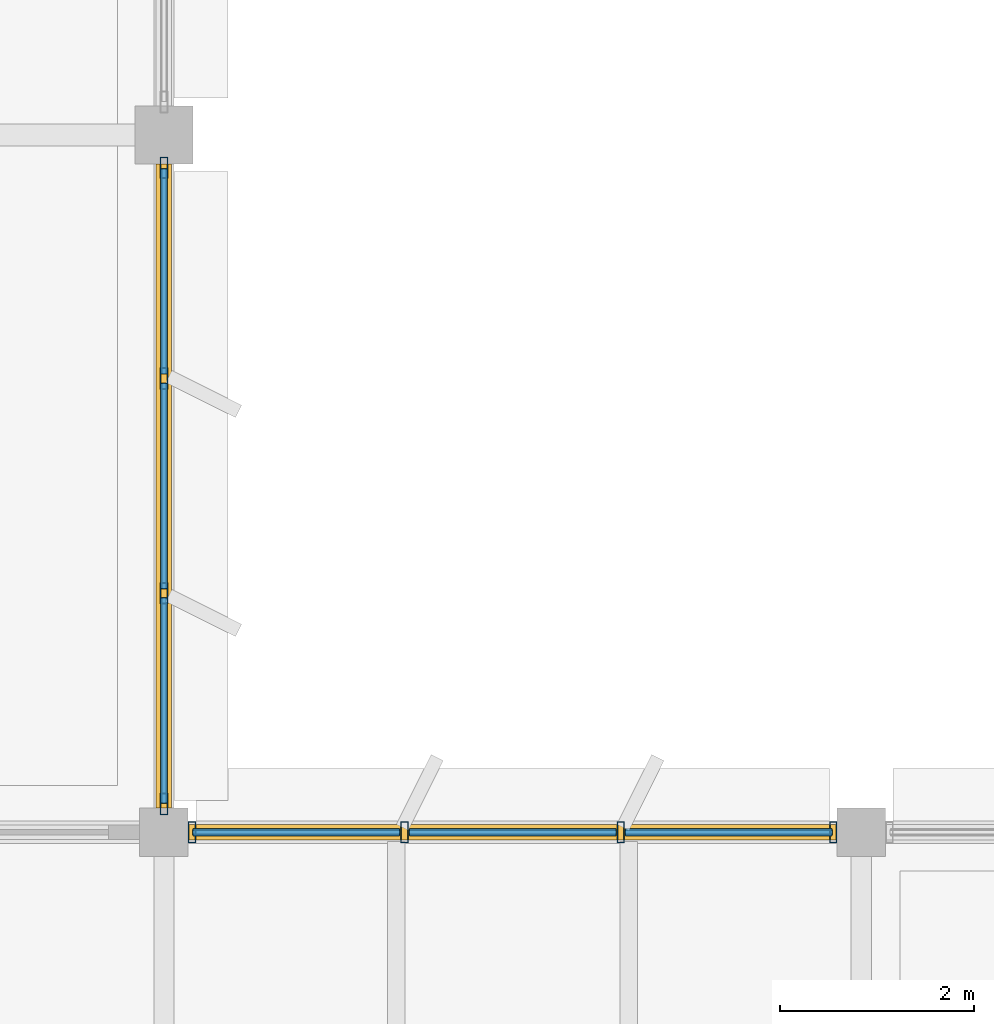
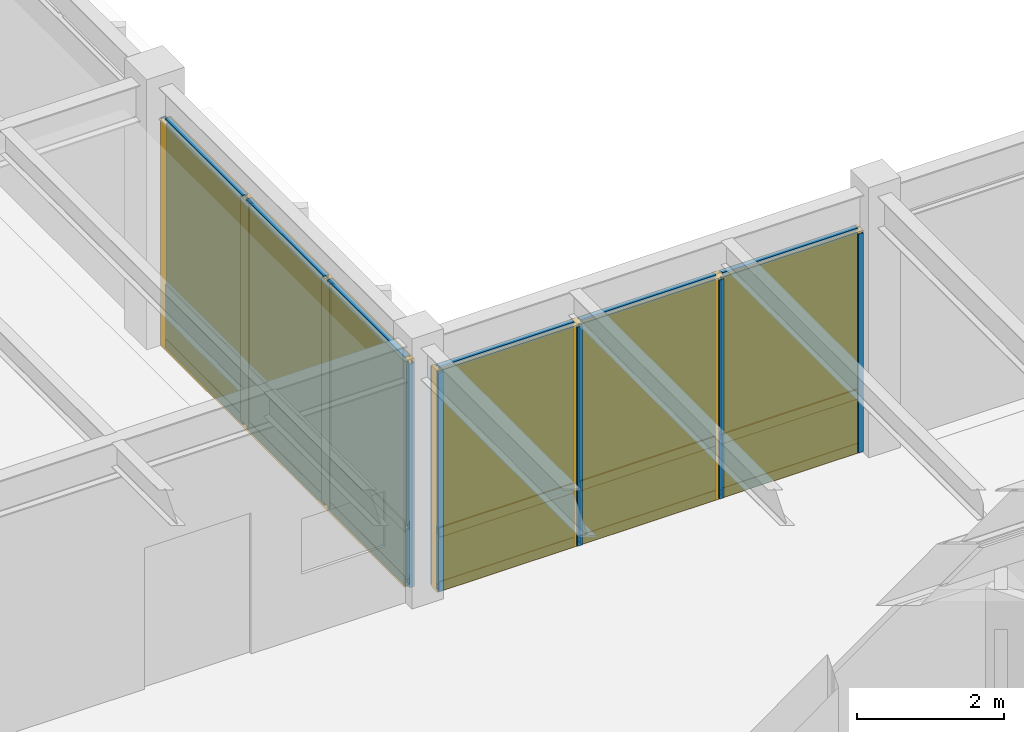
# One storey, part 70 of 92: 26 members, 12 plates, 2 curtain walls.
"""IFC4 building model written with IfcOpenShell, lengths in metres."""

from ifc_helpers import new_model, si_unit, direction, frame, origin, origin_2d, place, context, subcontext, project, spatial, rectangle, hollow_rectangle, extrude, material, layer, layer_set, material_profile, profile_set, type_object, element, aggregate, save


model = new_model("IFC4")

# Units and contexts
model_context = context("Model", 3, precision=1e-05, world=origin(), true_north=direction((0.0, 1.0)))
body_context = subcontext(model_context, "Body", "Model", "MODEL_VIEW")
ifc_project = project(units=[si_unit("LENGTHUNIT", "METRE"), si_unit("AREAUNIT", "SQUARE_METRE"), si_unit("VOLUMEUNIT", "CUBIC_METRE"), si_unit("PLANEANGLEUNIT", "RADIAN"), si_unit("MASSUNIT", "GRAM", prefix="KILO")], contexts=[model_context])

# Member
ifc_material_1 = material(Name="Anodized Aluminium 6063-T6", Category="aluminium")
ifc_material_profile_1 = material_profile(ifc_material_1, hollow_rectangle(XDim=0.074951171875, YDim=0.219970703125, WallThickness=0.0048828125, at=origin_2d()), Name="ALU 75x220x5")
ifc_profile_set_1 = profile_set([ifc_material_profile_1], Name="Anodized Aluminium 6063-T6")
member_type_1 = type_object("IfcMemberType", Name="CWM-75X180", PredefinedType="MULLION", material=ifc_profile_set_1)
site_placement = place(None, origin())
building_placement = place(site_placement, origin())
storey_placement = place(building_placement, frame((0.0, 0.0, 5.39990234375)))
member_1_placement = place(storey_placement, frame((144.0, 35.659912109375, 0.02001953125), z_axis=(0.0, 0.0, 1.0), x_axis=(1.0, 0.0, 0.0)))
member_1 = element("IfcMember", 1, at=member_1_placement, type_object=member_type_1, Name="Curtain wall mullion CW-L02-19-04-E-00", PredefinedType="MULLION", context=body_context, shape_type="SweptSolid", body=[
    extrude(hollow_rectangle(XDim=0.074951171875, YDim=0.219970703125, WallThickness=0.0048828125, at=origin_2d()), origin(), (0.0, 0.0, 1.0), 3.72705078125),
])

member_2_placement = place(storey_placement, frame((144.0, 33.4833984375, 0.02001953125), z_axis=(0.0, 0.0, 1.0), x_axis=(1.0, 0.0, 0.0)))
member_2 = element("IfcMember", 2, at=member_2_placement, type_object=member_type_1, Name="Curtain wall mullion CW-L02-19-04-E-01", PredefinedType="MULLION", context=body_context, shape_type="SweptSolid", body=[
    extrude(hollow_rectangle(XDim=0.074951171875, YDim=0.219970703125, WallThickness=0.0048828125, at=origin_2d()), origin(), (0.0, 0.0, 1.0), 3.72705078125),
])

member_3_placement = place(storey_placement, frame((144.0, 31.2666015625, 0.02001953125), z_axis=(0.0, 0.0, 1.0), x_axis=(1.0, 0.0, 0.0)))
member_3 = element("IfcMember", 3, at=member_3_placement, type_object=member_type_1, Name="Curtain wall mullion CW-L02-19-04-E-02", PredefinedType="MULLION", context=body_context, shape_type="SweptSolid", body=[
    extrude(hollow_rectangle(XDim=0.074951171875, YDim=0.219970703125, WallThickness=0.0048828125, at=origin_2d()), origin(), (0.0, 0.0, 1.0), 3.72705078125),
])

member_4_placement = place(storey_placement, frame((144.0, 29.090087890625, 0.02001953125), z_axis=(0.0, 0.0, 1.0), x_axis=(1.0, 0.0, 0.0)))
member_4 = element("IfcMember", 4, at=member_4_placement, type_object=member_type_1, Name="Curtain wall mullion CW-L02-19-04-E-03", PredefinedType="MULLION", context=body_context, shape_type="SweptSolid", body=[
    extrude(hollow_rectangle(XDim=0.074951171875, YDim=0.219970703125, WallThickness=0.0048828125, at=origin_2d()), origin(), (0.0, 0.0, 1.0), 3.72705078125),
])

member_5_placement = place(storey_placement, frame((144.2900390625, 28.800048828125, 0.02001953125), z_axis=(0.0, 0.0, 1.0), x_axis=(1.0, 0.0, 0.0)))
member_5 = element("IfcMember", 5, at=member_5_placement, type_object=member_type_1, Name="Curtain wall mullion CW-L02-20-03-N-00", PredefinedType="MULLION", context=body_context, shape_type="SweptSolid", body=[
    extrude(hollow_rectangle(XDim=0.074951171875, YDim=0.219970703125, WallThickness=0.0048828125, at=origin_2d()), origin(), (0.0, 0.0, 1.0), 3.648193359375),
])

member_6_placement = place(storey_placement, frame((146.4833984375, 28.800048828125, 0.02001953125), z_axis=(0.0, 0.0, 1.0), x_axis=(1.0, 0.0, 0.0)))
member_6 = element("IfcMember", 6, at=member_6_placement, type_object=member_type_1, Name="Curtain wall mullion CW-L02-20-03-N-01", PredefinedType="MULLION", context=body_context, shape_type="SweptSolid", body=[
    extrude(hollow_rectangle(XDim=0.074951171875, YDim=0.219970703125, WallThickness=0.0048828125, at=origin_2d()), origin(), (0.0, 0.0, 1.0), 3.648193359375),
])

member_7_placement = place(storey_placement, frame((148.716796875, 28.800048828125, 0.02001953125), z_axis=(0.0, 0.0, 1.0), x_axis=(1.0, 0.0, 0.0)))
member_7 = element("IfcMember", 7, at=member_7_placement, type_object=member_type_1, Name="Curtain wall mullion CW-L02-20-03-N-02", PredefinedType="MULLION", context=body_context, shape_type="SweptSolid", body=[
    extrude(hollow_rectangle(XDim=0.074951171875, YDim=0.219970703125, WallThickness=0.0048828125, at=origin_2d()), origin(), (0.0, 0.0, 1.0), 3.648193359375),
])

member_8_placement = place(storey_placement, frame((150.909912109375, 28.800048828125, 0.02001953125), z_axis=(0.0, 0.0, 1.0), x_axis=(1.0, 0.0, 0.0)))
member_8 = element("IfcMember", 8, at=member_8_placement, type_object=member_type_1, Name="Curtain wall mullion CW-L02-20-03-N-03", PredefinedType="MULLION", context=body_context, shape_type="SweptSolid", body=[
    extrude(hollow_rectangle(XDim=0.074951171875, YDim=0.219970703125, WallThickness=0.0048828125, at=origin_2d()), origin(), (0.0, 0.0, 1.0), 3.648193359375),
])

ifc_material_profile_2 = material_profile(ifc_material_1, hollow_rectangle(XDim=0.074951171875, YDim=0.159912109375, WallThickness=0.00390625, at=origin_2d()), Name="ALU 75x160x4")
ifc_profile_set_2 = profile_set([ifc_material_profile_2], Name="Anodized Aluminium 6063-T6")
member_type_2 = type_object("IfcMemberType", Name="CWT-75X150", PredefinedType="USERDEFINED", material=ifc_profile_set_2)
member_9_placement = place(storey_placement, frame((144.0, 35.64990234375, 0.050048828125), z_axis=(0.0, -1.0, 0.0), x_axis=(1.0, 0.0, 0.0)))
member_9 = element("IfcMember", 9, at=member_9_placement, type_object=member_type_2, Name="Curtain wall transom CW-L02-19-04-E-1.01", ObjectType="TRANSOM", PredefinedType="USERDEFINED", context=body_context, shape_type="SweptSolid", body=[
    extrude(hollow_rectangle(XDim=0.074951171875, YDim=0.159912109375, WallThickness=0.00390625, at=origin_2d()), origin(), (0.0, 0.0, 1.0), 2.11669921875),
])

member_10_placement = place(storey_placement, frame((144.0, 33.433349609375, 0.050048828125), z_axis=(0.0, -1.0, 0.0), x_axis=(1.0, 0.0, 0.0)))
member_10 = element("IfcMember", 10, at=member_10_placement, type_object=member_type_2, Name="Curtain wall transom CW-L02-19-04-E-1.02", ObjectType="TRANSOM", PredefinedType="USERDEFINED", context=body_context, shape_type="SweptSolid", body=[
    extrude(hollow_rectangle(XDim=0.074951171875, YDim=0.159912109375, WallThickness=0.00390625, at=origin_2d()), origin(), (0.0, 0.0, 1.0), 2.11669921875),
])

member_11_placement = place(storey_placement, frame((144.0, 31.216796875, 0.050048828125), z_axis=(0.0, -1.0, 0.0), x_axis=(1.0, 0.0, 0.0)))
member_11 = element("IfcMember", 11, at=member_11_placement, type_object=member_type_2, Name="Curtain wall transom CW-L02-19-04-E-1.03", ObjectType="TRANSOM", PredefinedType="USERDEFINED", context=body_context, shape_type="SweptSolid", body=[
    extrude(hollow_rectangle(XDim=0.074951171875, YDim=0.159912109375, WallThickness=0.00390625, at=origin_2d()), origin(), (0.0, 0.0, 1.0), 2.11669921875),
])

member_12_placement = place(storey_placement, frame((144.0, 35.64990234375, 0.9501953125), z_axis=(0.0, -1.0, 0.0), x_axis=(1.0, 0.0, 0.0)))
member_12 = element("IfcMember", 12, at=member_12_placement, type_object=member_type_2, Name="Curtain wall transom CW-L02-19-04-E-2.01", ObjectType="TRANSOM", PredefinedType="USERDEFINED", context=body_context, shape_type="SweptSolid", body=[
    extrude(hollow_rectangle(XDim=0.074951171875, YDim=0.159912109375, WallThickness=0.00390625, at=origin_2d()), origin(), (0.0, 0.0, 1.0), 2.11669921875),
])

member_13_placement = place(storey_placement, frame((144.0, 33.433349609375, 0.9501953125), z_axis=(0.0, -1.0, 0.0), x_axis=(1.0, 0.0, 0.0)))
member_13 = element("IfcMember", 13, at=member_13_placement, type_object=member_type_2, Name="Curtain wall transom CW-L02-19-04-E-2.02", ObjectType="TRANSOM", PredefinedType="USERDEFINED", context=body_context, shape_type="SweptSolid", body=[
    extrude(hollow_rectangle(XDim=0.074951171875, YDim=0.159912109375, WallThickness=0.00390625, at=origin_2d()), origin(), (0.0, 0.0, 1.0), 2.11669921875),
])

member_14_placement = place(storey_placement, frame((144.0, 31.216796875, 0.9501953125), z_axis=(0.0, -1.0, 0.0), x_axis=(1.0, 0.0, 0.0)))
member_14 = element("IfcMember", 14, at=member_14_placement, type_object=member_type_2, Name="Curtain wall transom CW-L02-19-04-E-2.03", ObjectType="TRANSOM", PredefinedType="USERDEFINED", context=body_context, shape_type="SweptSolid", body=[
    extrude(hollow_rectangle(XDim=0.074951171875, YDim=0.159912109375, WallThickness=0.00390625, at=origin_2d()), origin(), (0.0, 0.0, 1.0), 2.11669921875),
])

member_15_placement = place(storey_placement, frame((144.0, 35.64990234375, 3.717041015625), z_axis=(0.0, -1.0, 0.0), x_axis=(1.0, 0.0, 0.0)))
member_15 = element("IfcMember", 15, at=member_15_placement, type_object=member_type_2, Name="Curtain wall transom CW-L02-19-04-E-3.01", ObjectType="TRANSOM", PredefinedType="USERDEFINED", context=body_context, shape_type="SweptSolid", body=[
    extrude(hollow_rectangle(XDim=0.074951171875, YDim=0.159912109375, WallThickness=0.00390625, at=origin_2d()), origin(), (0.0, 0.0, 1.0), 2.11669921875),
])

member_16_placement = place(storey_placement, frame((144.0, 33.433349609375, 3.717041015625), z_axis=(0.0, -1.0, 0.0), x_axis=(1.0, 0.0, 0.0)))
member_16 = element("IfcMember", 16, at=member_16_placement, type_object=member_type_2, Name="Curtain wall transom CW-L02-19-04-E-3.02", ObjectType="TRANSOM", PredefinedType="USERDEFINED", context=body_context, shape_type="SweptSolid", body=[
    extrude(hollow_rectangle(XDim=0.074951171875, YDim=0.159912109375, WallThickness=0.00390625, at=origin_2d()), origin(), (0.0, 0.0, 1.0), 2.11669921875),
])

member_17_placement = place(storey_placement, frame((144.0, 31.216796875, 3.717041015625), z_axis=(0.0, -1.0, 0.0), x_axis=(1.0, 0.0, 0.0)))
member_17 = element("IfcMember", 17, at=member_17_placement, type_object=member_type_2, Name="Curtain wall transom CW-L02-19-04-E-3.03", ObjectType="TRANSOM", PredefinedType="USERDEFINED", context=body_context, shape_type="SweptSolid", body=[
    extrude(hollow_rectangle(XDim=0.074951171875, YDim=0.159912109375, WallThickness=0.00390625, at=origin_2d()), origin(), (0.0, 0.0, 1.0), 2.11669921875),
])

member_18_placement = place(storey_placement, frame((144.300048828125, 28.800048828125, 0.050048828125), z_axis=(1.0, 0.0, 0.0), x_axis=(0.0, 1.0, 0.0)))
member_18 = element("IfcMember", 18, at=member_18_placement, type_object=member_type_2, Name="Curtain wall transom CW-L02-20-03-N-1.01", ObjectType="TRANSOM", PredefinedType="USERDEFINED", context=body_context, shape_type="SweptSolid", body=[
    extrude(hollow_rectangle(XDim=0.074951171875, YDim=0.159912109375, WallThickness=0.00390625, at=origin_2d()), origin(), (0.0, 0.0, 1.0), 2.13330078125),
])

member_19_placement = place(storey_placement, frame((146.533203125, 28.800048828125, 0.050048828125), z_axis=(1.0, 0.0, 0.0), x_axis=(0.0, 1.0, 0.0)))
member_19 = element("IfcMember", 19, at=member_19_placement, type_object=member_type_2, Name="Curtain wall transom CW-L02-20-03-N-1.02", ObjectType="TRANSOM", PredefinedType="USERDEFINED", context=body_context, shape_type="SweptSolid", body=[
    extrude(hollow_rectangle(XDim=0.074951171875, YDim=0.159912109375, WallThickness=0.00390625, at=origin_2d()), origin(), (0.0, 0.0, 1.0), 2.133544921875),
])

member_20_placement = place(storey_placement, frame((148.7666015625, 28.800048828125, 0.050048828125), z_axis=(1.0, 0.0, 0.0), x_axis=(0.0, 1.0, 0.0)))
member_20 = element("IfcMember", 20, at=member_20_placement, type_object=member_type_2, Name="Curtain wall transom CW-L02-20-03-N-1.03", ObjectType="TRANSOM", PredefinedType="USERDEFINED", context=body_context, shape_type="SweptSolid", body=[
    extrude(hollow_rectangle(XDim=0.074951171875, YDim=0.159912109375, WallThickness=0.00390625, at=origin_2d()), origin(), (0.0, 0.0, 1.0), 2.13330078125),
])

member_21_placement = place(storey_placement, frame((144.300048828125, 28.800048828125, 0.9501953125), z_axis=(1.0, 0.0, 0.0), x_axis=(0.0, 1.0, 0.0)))
member_21 = element("IfcMember", 21, at=member_21_placement, type_object=member_type_2, Name="Curtain wall transom CW-L02-20-03-N-2.01", ObjectType="TRANSOM", PredefinedType="USERDEFINED", context=body_context, shape_type="SweptSolid", body=[
    extrude(hollow_rectangle(XDim=0.074951171875, YDim=0.159912109375, WallThickness=0.00390625, at=origin_2d()), origin(), (0.0, 0.0, 1.0), 2.13330078125),
])

member_22_placement = place(storey_placement, frame((146.533203125, 28.800048828125, 0.9501953125), z_axis=(1.0, 0.0, 0.0), x_axis=(0.0, 1.0, 0.0)))
member_22 = element("IfcMember", 22, at=member_22_placement, type_object=member_type_2, Name="Curtain wall transom CW-L02-20-03-N-2.02", ObjectType="TRANSOM", PredefinedType="USERDEFINED", context=body_context, shape_type="SweptSolid", body=[
    extrude(hollow_rectangle(XDim=0.074951171875, YDim=0.159912109375, WallThickness=0.00390625, at=origin_2d()), origin(), (0.0, 0.0, 1.0), 2.133544921875),
])

member_23_placement = place(storey_placement, frame((148.7666015625, 28.800048828125, 0.9501953125), z_axis=(1.0, 0.0, 0.0), x_axis=(0.0, 1.0, 0.0)))
member_23 = element("IfcMember", 23, at=member_23_placement, type_object=member_type_2, Name="Curtain wall transom CW-L02-20-03-N-2.03", ObjectType="TRANSOM", PredefinedType="USERDEFINED", context=body_context, shape_type="SweptSolid", body=[
    extrude(hollow_rectangle(XDim=0.074951171875, YDim=0.159912109375, WallThickness=0.00390625, at=origin_2d()), origin(), (0.0, 0.0, 1.0), 2.13330078125),
])

member_24_placement = place(storey_placement, frame((144.300048828125, 28.800048828125, 3.63818359375), z_axis=(1.0, 0.0, 0.0), x_axis=(0.0, 1.0, 0.0)))
member_24 = element("IfcMember", 24, at=member_24_placement, type_object=member_type_2, Name="Curtain wall transom CW-L02-20-03-N-3.01", ObjectType="TRANSOM", PredefinedType="USERDEFINED", context=body_context, shape_type="SweptSolid", body=[
    extrude(hollow_rectangle(XDim=0.074951171875, YDim=0.159912109375, WallThickness=0.00390625, at=origin_2d()), origin(), (0.0, 0.0, 1.0), 2.13330078125),
])

member_25_placement = place(storey_placement, frame((146.533203125, 28.800048828125, 3.63818359375), z_axis=(1.0, 0.0, 0.0), x_axis=(0.0, 1.0, 0.0)))
member_25 = element("IfcMember", 25, at=member_25_placement, type_object=member_type_2, Name="Curtain wall transom CW-L02-20-03-N-3.02", ObjectType="TRANSOM", PredefinedType="USERDEFINED", context=body_context, shape_type="SweptSolid", body=[
    extrude(hollow_rectangle(XDim=0.074951171875, YDim=0.159912109375, WallThickness=0.00390625, at=origin_2d()), origin(), (0.0, 0.0, 1.0), 2.133544921875),
])

member_26_placement = place(storey_placement, frame((148.7666015625, 28.800048828125, 3.63818359375), z_axis=(1.0, 0.0, 0.0), x_axis=(0.0, 1.0, 0.0)))
member_26 = element("IfcMember", 26, at=member_26_placement, type_object=member_type_2, Name="Curtain wall transom CW-L02-20-03-N-3.03", ObjectType="TRANSOM", PredefinedType="USERDEFINED", context=body_context, shape_type="SweptSolid", body=[
    extrude(hollow_rectangle(XDim=0.074951171875, YDim=0.159912109375, WallThickness=0.00390625, at=origin_2d()), origin(), (0.0, 0.0, 1.0), 2.13330078125),
])

# Plate
ifc_material_2 = material(Name="Acoustic Laminated Low-E Glazing", Category="glass")
ifc_layer_1 = layer(ifc_material_2, 0.0439453125)
ifc_layer_set_1 = layer_set([ifc_layer_1], Name="Acoustic Laminated Low-E Glazing")
plate_type_1 = type_object("IfcPlateType", Name="CWP-IGU-44", PredefinedType="CURTAIN_PANEL", material=ifc_layer_set_1)
plate_1_placement = place(storey_placement, frame((144.0, 34.591796875, 0.990234375), z_axis=(0.0, 0.0, 1.0), x_axis=(0.0, -1.0, 0.0)))
plate_1 = element("IfcPlate", 27, at=plate_1_placement, type_object=plate_type_1, Name="Curtain wall vision glazing CW-L02-19-04-E-01", PredefinedType="CURTAIN_PANEL", context=body_context, shape_type="SweptSolid", body=[
    extrude(rectangle(XDim=2.126708984375, YDim=0.0400390625, at=origin_2d()), origin(), (0.0, 0.0, 1.0), 2.717041015625),
])

plate_2_placement = place(storey_placement, frame((144.0, 32.375, 0.990234375), z_axis=(0.0, 0.0, 1.0), x_axis=(0.0, -1.0, 0.0)))
plate_2 = element("IfcPlate", 28, at=plate_2_placement, type_object=plate_type_1, Name="Curtain wall vision glazing CW-L02-19-04-E-02", PredefinedType="CURTAIN_PANEL", context=body_context, shape_type="SweptSolid", body=[
    extrude(rectangle(XDim=2.126708984375, YDim=0.0400390625, at=origin_2d()), origin(), (0.0, 0.0, 1.0), 2.717041015625),
])

plate_3_placement = place(storey_placement, frame((144.0, 30.158203125, 0.990234375), z_axis=(0.0, 0.0, 1.0), x_axis=(0.0, -1.0, 0.0)))
plate_3 = element("IfcPlate", 29, at=plate_3_placement, type_object=plate_type_1, Name="Curtain wall vision glazing CW-L02-19-04-E-03", PredefinedType="CURTAIN_PANEL", context=body_context, shape_type="SweptSolid", body=[
    extrude(rectangle(XDim=2.126708984375, YDim=0.0400390625, at=origin_2d()), origin(), (0.0, 0.0, 1.0), 2.717041015625),
])

plate_4_placement = place(storey_placement, frame((145.36669921875, 28.800048828125, 0.990234375), z_axis=(0.0, 0.0, 1.0), x_axis=(1.0, 0.0, 0.0)))
plate_4 = element("IfcPlate", 30, at=plate_4_placement, type_object=plate_type_1, Name="Curtain wall vision glazing CW-L02-20-03-N-01", PredefinedType="CURTAIN_PANEL", context=body_context, shape_type="SweptSolid", body=[
    extrude(rectangle(XDim=2.143310546875, YDim=0.0400390625, at=origin_2d()), origin(), (0.0, 0.0, 1.0), 2.637939453125),
])

plate_5_placement = place(storey_placement, frame((147.60009765625, 28.800048828125, 0.990234375), z_axis=(0.0, 0.0, 1.0), x_axis=(1.0, 0.0, 0.0)))
plate_5 = element("IfcPlate", 31, at=plate_5_placement, type_object=plate_type_1, Name="Curtain wall vision glazing CW-L02-20-03-N-02", PredefinedType="CURTAIN_PANEL", context=body_context, shape_type="SweptSolid", body=[
    extrude(rectangle(XDim=2.143310546875, YDim=0.0400390625, at=origin_2d()), origin(), (0.0, 0.0, 1.0), 2.637939453125),
])

plate_6_placement = place(storey_placement, frame((149.833251953125, 28.800048828125, 0.990234375), z_axis=(0.0, 0.0, 1.0), x_axis=(1.0, 0.0, 0.0)))
plate_6 = element("IfcPlate", 32, at=plate_6_placement, type_object=plate_type_1, Name="Curtain wall vision glazing CW-L02-20-03-N-03", PredefinedType="CURTAIN_PANEL", context=body_context, shape_type="SweptSolid", body=[
    extrude(rectangle(XDim=2.143310546875, YDim=0.0400390625, at=origin_2d()), origin(), (0.0, 0.0, 1.0), 2.637939453125),
])

ifc_material_3 = material(Name="Insulated Stone-Composite Spandrel", Category="masonry")
ifc_layer_2 = layer(ifc_material_3, 0.068115234375)
ifc_layer_set_2 = layer_set([ifc_layer_2], Name="Insulated Stone-Composite Spandrel")
plate_type_2 = type_object("IfcPlateType", Name="CWP-SPN-68", PredefinedType="CURTAIN_PANEL", material=ifc_layer_set_2)
plate_7_placement = place(storey_placement, frame((144.0, 34.591796875, 0.080078125), z_axis=(0.0, 0.0, 1.0), x_axis=(0.0, -1.0, 0.0)))
plate_7 = element("IfcPlate", 33, at=plate_7_placement, type_object=plate_type_2, Name="Curtain wall spandrel panel CW-L02-19-04-E-01", PredefinedType="CURTAIN_PANEL", context=body_context, shape_type="SweptSolid", body=[
    extrude(rectangle(XDim=2.126708984375, YDim=0.06005859375, at=origin_2d()), origin(), (0.0, 0.0, 1.0), 0.840087890625),
])

plate_8_placement = place(storey_placement, frame((144.0, 32.375, 0.080078125), z_axis=(0.0, 0.0, 1.0), x_axis=(0.0, -1.0, 0.0)))
plate_8 = element("IfcPlate", 34, at=plate_8_placement, type_object=plate_type_2, Name="Curtain wall spandrel panel CW-L02-19-04-E-02", PredefinedType="CURTAIN_PANEL", context=body_context, shape_type="SweptSolid", body=[
    extrude(rectangle(XDim=2.126708984375, YDim=0.06005859375, at=origin_2d()), origin(), (0.0, 0.0, 1.0), 0.840087890625),
])

plate_9_placement = place(storey_placement, frame((144.0, 30.158203125, 0.080078125), z_axis=(0.0, 0.0, 1.0), x_axis=(0.0, -1.0, 0.0)))
plate_9 = element("IfcPlate", 35, at=plate_9_placement, type_object=plate_type_2, Name="Curtain wall spandrel panel CW-L02-19-04-E-03", PredefinedType="CURTAIN_PANEL", context=body_context, shape_type="SweptSolid", body=[
    extrude(rectangle(XDim=2.126708984375, YDim=0.06005859375, at=origin_2d()), origin(), (0.0, 0.0, 1.0), 0.840087890625),
])

plate_10_placement = place(storey_placement, frame((145.36669921875, 28.800048828125, 0.080078125), z_axis=(0.0, 0.0, 1.0), x_axis=(1.0, 0.0, 0.0)))
plate_10 = element("IfcPlate", 36, at=plate_10_placement, type_object=plate_type_2, Name="Curtain wall spandrel panel CW-L02-20-03-N-01", PredefinedType="CURTAIN_PANEL", context=body_context, shape_type="SweptSolid", body=[
    extrude(rectangle(XDim=2.143310546875, YDim=0.06005859375, at=origin_2d()), origin(), (0.0, 0.0, 1.0), 0.840087890625),
])

plate_11_placement = place(storey_placement, frame((147.60009765625, 28.800048828125, 0.080078125), z_axis=(0.0, 0.0, 1.0), x_axis=(1.0, 0.0, 0.0)))
plate_11 = element("IfcPlate", 37, at=plate_11_placement, type_object=plate_type_2, Name="Curtain wall spandrel panel CW-L02-20-03-N-02", PredefinedType="CURTAIN_PANEL", context=body_context, shape_type="SweptSolid", body=[
    extrude(rectangle(XDim=2.143310546875, YDim=0.06005859375, at=origin_2d()), origin(), (0.0, 0.0, 1.0), 0.840087890625),
])

plate_12_placement = place(storey_placement, frame((149.833251953125, 28.800048828125, 0.080078125), z_axis=(0.0, 0.0, 1.0), x_axis=(1.0, 0.0, 0.0)))
plate_12 = element("IfcPlate", 38, at=plate_12_placement, type_object=plate_type_2, Name="Curtain wall spandrel panel CW-L02-20-03-N-03", PredefinedType="CURTAIN_PANEL", context=body_context, shape_type="SweptSolid", body=[
    extrude(rectangle(XDim=2.143310546875, YDim=0.06005859375, at=origin_2d()), origin(), (0.0, 0.0, 1.0), 0.840087890625),
])

# Site, building, storey
site = spatial("IfcSite", under=ifc_project, at=site_placement, CompositionType="ELEMENT")
building = spatial("IfcBuilding", under=site, at=building_placement, Name="Sillqori Civic Hall", CompositionType="ELEMENT")
storey = spatial("IfcBuildingStorey", under=building, at=storey_placement, Name="L02", CompositionType="ELEMENT", Elevation=5.39990234375)

# Curtain wall
ifc_material_4 = material(Name="Anodized Aluminium Curtain Wall System", Category="aluminium")
curtain_wall_type = type_object("IfcCurtainWallType", Name="CW-GL-430", PredefinedType="NOTDEFINED", material=ifc_material_4)
curtain_wall_1_placement = place(storey_placement, frame((144.0, 32.375, 0.0), z_axis=(0.0, 0.0, 1.0), x_axis=(0.0, -1.0, 0.0)))
curtain_wall_1 = element("IfcCurtainWall", 39, at=curtain_wall_1_placement, inside=storey, type_object=curtain_wall_type, Name="L02 unitised curtain wall CW-L02-19-04-E", PredefinedType="NOTDEFINED", context=body_context, shape_type="SweptSolid", body=[
    extrude(rectangle(XDim=6.64990234375, YDim=0.159912109375, at=origin_2d()), origin(), (0.0, 0.0, 1.0), 3.76708984375),
])

aggregate(curtain_wall_1, [member_1, member_2, member_3, member_4, member_9, member_10, member_11, member_12, member_13, member_14, member_15, member_16, member_17, plate_7, plate_1, plate_8, plate_2, plate_9, plate_3])

curtain_wall_2_placement = place(storey_placement, frame((147.60009765625, 28.800048828125, 0.0), z_axis=(0.0, 0.0, 1.0), x_axis=(1.0, 0.0, 0.0)))
curtain_wall_2 = element("IfcCurtainWall", 40, at=curtain_wall_2_placement, inside=storey, type_object=curtain_wall_type, Name="L02 unitised curtain wall CW-L02-20-03-N", PredefinedType="NOTDEFINED", context=body_context, shape_type="SweptSolid", body=[
    extrude(rectangle(XDim=6.699951171875, YDim=0.159912109375, at=origin_2d()), origin(), (0.0, 0.0, 1.0), 3.68798828125),
])

aggregate(curtain_wall_2, [member_5, member_6, member_7, member_8, member_18, member_19, member_20, member_21, member_22, member_23, member_24, member_25, member_26, plate_10, plate_4, plate_11, plate_5, plate_12, plate_6])

save(model, "model.ifc")
